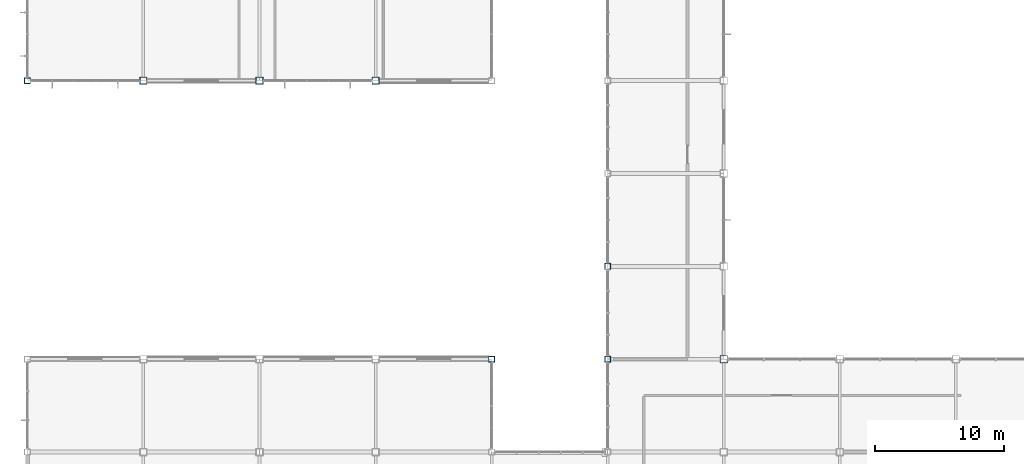
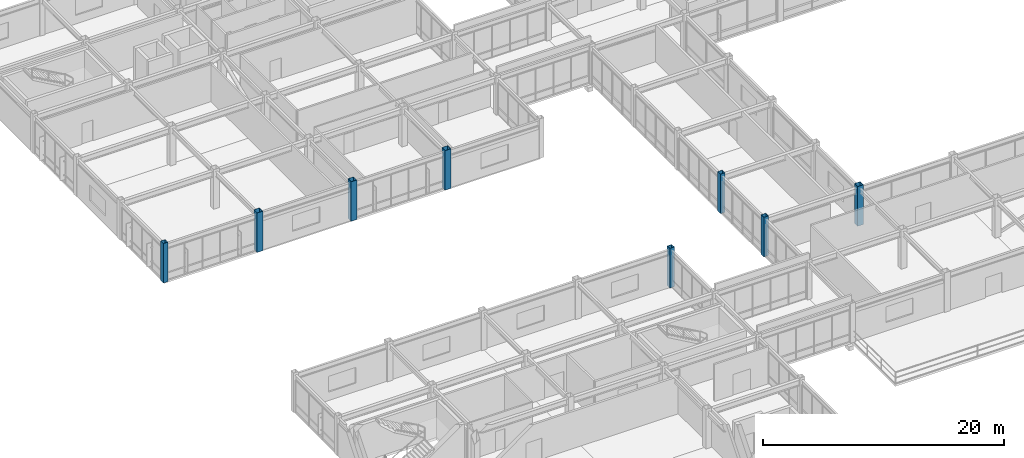
# One storey, part 3 of 122: 8 columns.
"""IFC4 building model written with IfcOpenShell, lengths in metres."""

import ifcopenshell
import ifcopenshell.guid

model = None  # the IFC model being written
_history = None  # IfcOwnerHistory: only IFC2X3 demands one
_inside = {}  # id of a spatial element -> (the spatial element, [elements in it])
_under = {}  # id of a project, library or spatial element -> (it, [spatial elements below it])
_declared = {}  # id of a project -> (the project, [libraries it declares])
_typed = {}  # id of a type object -> (the type object, [elements of that type])
_made_of = {}  # id of a material, layer set ... -> (it, [elements and type objects made of it])


def new_model(schema):
    """Start an empty IFC model of exactly this schema.

    Asked for "IFC4X3", IfcOpenShell would pick the latest addendum, in which some entities
    have other attributes; the version numbers below select the first issue.
    IFC2X3 requires an IfcOwnerHistory on every rooted entity: one is made here for all.
    """
    global model, _history
    if schema == "IFC4X3":
        model = ifcopenshell.file(schema_version=(4, 3, 0, 0))
    else:
        model = ifcopenshell.file(schema=schema)
    _inside.clear()
    _under.clear()
    _declared.clear()
    _typed.clear()
    _made_of.clear()
    _history = None
    if model.schema == "IFC2X3":
        org = make("IfcOrganization", Name="unknown")
        user = make(
            "IfcPersonAndOrganization",
            ThePerson=make("IfcPerson", FamilyName="unknown"),
            TheOrganization=org,
        )
        app = make(
            "IfcApplication",
            ApplicationDeveloper=org,
            Version="unknown",
            ApplicationFullName="unknown",
            ApplicationIdentifier="unknown",
        )
        _history = make(
            "IfcOwnerHistory",
            OwningUser=user,
            OwningApplication=app,
            ChangeAction="ADDED",
            CreationDate=0,
        )
    return model


def make(cls, **values):
    """One entity of the class cls with the attributes given. An attribute that is None is left unset."""
    return model.create_entity(
        cls, **{name: value for name, value in values.items() if value is not None}
    )


def rooted(cls, **values):
    """An entity with a GlobalId (a new one), such as an element, a storey or a relation."""
    return make(cls, GlobalId=ifcopenshell.guid.new(), OwnerHistory=_history, **values)


def si_unit(unit_type, name, prefix=None):
    """IfcSIUnit, for example si_unit("LENGTHUNIT", "METRE", prefix="MILLI")."""
    return make("IfcSIUnit", UnitType=unit_type, Prefix=prefix, Name=name)


def assignment(units):
    """IfcUnitAssignment: the units of a project."""
    return None if units is None else make("IfcUnitAssignment", Units=units)


def point(xyz):
    """IfcCartesianPoint."""
    return None if xyz is None else make("IfcCartesianPoint", Coordinates=xyz)


def direction(xyz):
    """IfcDirection."""
    return None if xyz is None else make("IfcDirection", DirectionRatios=xyz)


def frame(location, z_axis=None, x_axis=None):
    """IfcAxis2Placement3D, a coordinate frame: its origin and axes. An axis left out is left unset."""
    return make(
        "IfcAxis2Placement3D",
        Location=point(location),
        Axis=direction(z_axis),
        RefDirection=direction(x_axis),
    )


def frame_2d(location, x_axis=None):
    """IfcAxis2Placement2D, a coordinate frame in the plane: its origin and x axis."""
    return make(
        "IfcAxis2Placement2D", Location=point(location), RefDirection=direction(x_axis)
    )


def origin():
    """The frame at (0, 0, 0) with its axes left unset."""
    return frame((0.0, 0.0, 0.0))


def origin_2d():
    """The frame at (0, 0) in the plane with its x axis left unset."""
    return frame_2d((0.0, 0.0))


def place(relative_to, where):
    """IfcLocalPlacement: puts the frame where relative to a parent placement (None: the world)."""
    return make(
        "IfcLocalPlacement", PlacementRelTo=relative_to, RelativePlacement=where
    )


def context(
    kind, dimensions, precision=None, world=None, true_north=None, identifier=None
):
    """IfcGeometricRepresentationContext, for example the 3D "Model" context."""
    return make(
        "IfcGeometricRepresentationContext",
        ContextIdentifier=identifier,
        ContextType=kind,
        CoordinateSpaceDimension=dimensions,
        Precision=precision,
        WorldCoordinateSystem=world,
        TrueNorth=true_north,
    )


def subcontext(parent, identifier, kind, view, scale=None):
    """IfcGeometricRepresentationSubContext, for example "Body" below "Model"."""
    return make(
        "IfcGeometricRepresentationSubContext",
        ContextIdentifier=identifier,
        ContextType=kind,
        ParentContext=parent,
        TargetScale=scale,
        TargetView=view,
    )


def project(units=None, contexts=None):
    """IfcProject with its units and contexts."""
    return rooted(
        "IfcProject",
        Name="project",
        RepresentationContexts=contexts,
        UnitsInContext=assignment(units),
    )


def spatial(cls, under=None, at=None, **own):
    """A site, building, storey or space (cls), placed at a placement, below another one or the project."""
    s = rooted(cls, ObjectPlacement=at, **own)
    if under is not None:
        _under.setdefault(under.id(), (under, []))[1].append(s)
    return s


def profile(cls, at=None, kind="AREA", **sizes):
    """A parametric profile (cls). Its sizes go by their IFC names, for example OverallWidth=200.0."""
    return make(cls, ProfileType=kind, Position=at, **sizes)


def hollow_rectangle(**sizes):
    """IfcRectangleHollowProfileDef."""
    return profile("IfcRectangleHollowProfileDef", **sizes)


def extrude(swept, where, along, depth):
    """IfcExtrudedAreaSolid: the profile swept, set in the frame where, extruded along a direction by depth."""
    return make(
        "IfcExtrudedAreaSolid",
        SweptArea=swept,
        Position=where,
        ExtrudedDirection=direction(along),
        Depth=depth,
    )


def shape(context_of_items, identifier, shape_type, items):
    """IfcShapeRepresentation: the items that make up one representation, for example the "Body"."""
    return make(
        "IfcShapeRepresentation",
        ContextOfItems=context_of_items,
        RepresentationIdentifier=identifier,
        RepresentationType=shape_type,
        Items=items,
    )


def material(Name=None, Category=None):
    """IfcMaterial."""
    return make("IfcMaterial", Name=Name, Category=Category)


def material_profile(
    of_material, cross_section, Name=None, Category=None, Priority=None
):
    """IfcMaterialProfile: a cross section and its material."""
    return make(
        "IfcMaterialProfile",
        Name=Name,
        Material=of_material,
        Profile=cross_section,
        Priority=Priority,
        Category=Category,
    )


def profile_set(profiles, Name=None, composite=None):
    """IfcMaterialProfileSet."""
    return make(
        "IfcMaterialProfileSet",
        Name=Name,
        MaterialProfiles=profiles,
        CompositeProfile=composite,
    )


def made_of(thing, what):
    """Note that an element or type object is made of a material, layer set ...; save() writes the relation."""
    if what is not None:
        _made_of.setdefault(what.id(), (what, []))[1].append(thing)
    return thing


def type_object(cls, material=None, **own):
    """A type object (cls), such as IfcWallType, which elements share."""
    return made_of(rooted(cls, **own), material)


def element(
    cls,
    number,
    at=None,
    inside=None,
    cuts=None,
    type_object=None,
    material=None,
    context=None,
    identifier="Body",
    shape_type=None,
    held_by="IfcProductDefinitionShape",
    body=None,
    shapes=None,
    **own,
):
    """One element of the class cls, such as IfcWall. Its Tag is "e" and its number.

    at: its placement. inside: the storey or other place that contains it. cuts: it is an
    opening in that element (IfcRelVoidsElement). A single representation is given by context,
    identifier, shape_type and body (its items); several are given by shapes. held_by: the class
    of the entity that holds the representations. save() writes the other relations.
    """
    e = rooted(cls, Tag="e%d" % number, ObjectPlacement=at, **own)
    if body is not None:
        shapes = [shape(context, identifier, shape_type, body)]
    if shapes is not None:
        e.Representation = make(held_by, Representations=shapes)
    if inside is not None:
        _inside.setdefault(inside.id(), (inside, []))[1].append(e)
    if cuts is not None:
        rooted(
            "IfcRelVoidsElement", RelatingBuildingElement=cuts, RelatedOpeningElement=e
        )
    if type_object is not None:
        _typed.setdefault(type_object.id(), (type_object, []))[1].append(e)
    return made_of(e, material)


def aggregate(whole, parts):
    """IfcRelAggregates: a whole, such as a stair, and the parts it consists of."""
    return rooted("IfcRelAggregates", RelatingObject=whole, RelatedObjects=parts)


def save(model, path):
    """Write the relations noted so far, then the file.

    IfcRelAggregates (storeys below a building ...), IfcRelContainedInSpatialStructure (elements
    in a storey), IfcRelDefinesByType, IfcRelAssociatesMaterial and IfcRelDeclares: one each for
    every whole, place, type object, material and project.
    """
    for whole, parts in _under.values():
        aggregate(whole, parts)
    for where, things in _inside.values():
        rooted(
            "IfcRelContainedInSpatialStructure",
            RelatedElements=things,
            RelatingStructure=where,
        )
    for kind, things in _typed.values():
        rooted("IfcRelDefinesByType", RelatedObjects=things, RelatingType=kind)
    for what, things in _made_of.values():
        rooted("IfcRelAssociatesMaterial", RelatedObjects=things, RelatingMaterial=what)
    for by, libraries in _declared.values():
        rooted("IfcRelDeclares", RelatingContext=by, RelatedDefinitions=libraries)
    model.write(path)


model = new_model("IFC4")

# Units and contexts
model_context = context("Model", 3, precision=1e-05, world=origin(), true_north=direction((0.0, 1.0)))
body_context = subcontext(model_context, "Body", "Model", "MODEL_VIEW")
ifc_project = project(units=[si_unit("LENGTHUNIT", "METRE"), si_unit("AREAUNIT", "SQUARE_METRE"), si_unit("VOLUMEUNIT", "CUBIC_METRE"), si_unit("PLANEANGLEUNIT", "RADIAN"), si_unit("MASSUNIT", "GRAM", prefix="KILO")], contexts=[model_context])

# Site, building, storey
site_placement = place(None, origin())
site = spatial("IfcSite", under=ifc_project, at=site_placement, CompositionType="ELEMENT")
building_placement = place(site_placement, origin())
building = spatial("IfcBuilding", under=site, at=building_placement, Name="Kazanami Central Library", CompositionType="ELEMENT")
storey_placement = place(building_placement, frame((0.0, 0.0, 4.800048828125)))
storey = spatial("IfcBuildingStorey", under=building, at=storey_placement, Name="L02", CompositionType="ELEMENT", Elevation=4.800048828125)

# Columns
ifc_material = material(Name="Steel BCP325 (325 MPa)", Category="steel")
ifc_material_profile_1 = material_profile(ifc_material, hollow_rectangle(XDim=0.449951171875, YDim=0.449951171875, WallThickness=0.01904296875, at=origin_2d()), Name="BCP-450x450x19")
ifc_profile_set_1 = profile_set([ifc_material_profile_1], Name="Steel BCP325 (325 MPa)")
column_type_1 = type_object("IfcColumnType", Name="COL-C-P2E", PredefinedType="COLUMN", material=ifc_profile_set_1)
for number, where, z_axis, x_axis, name in (
    (1, (0.0, 57.60009765625, 0.0), (0.0, 0.0, 1.0), (1.0, 0.0, 0.0), "Column C-P2E L02 1/J"),
    (2, (36.0, 36.0, 0.0), (0.0, 0.0, 1.0), (1.0, 0.0, 0.0), "Column C-P2E L02 5/F"),
    (3, (45.0, 36.0, 0.0), (0.0, 0.0, 1.0), (1.0, 0.0, 0.0), "Column C-P2E L02 6/F"),
    (4, (45.0, 43.199951171875, 0.0), (0.0, 0.0, 1.0), (1.0, 0.0, 0.0), "Column C-P2E L02 6/G"),
):
    element("IfcColumn", number, at=place(storey_placement, frame(where, z_axis=z_axis, x_axis=x_axis)), inside=storey, type_object=column_type_1, Name=name, PredefinedType="COLUMN", context=body_context, shape_type="SweptSolid", body=[
        extrude(hollow_rectangle(XDim=0.449951171875, YDim=0.449951171875, WallThickness=0.01904296875, at=origin_2d()), origin(), (0.0, 0.0, 1.0), 4.0),
    ])
ifc_material_profile_2 = material_profile(ifc_material, hollow_rectangle(XDim=0.550048828125, YDim=0.550048828125, WallThickness=0.02197265625, at=origin_2d()), Name="BCP-550x550x22")
ifc_profile_set_2 = profile_set([ifc_material_profile_2], Name="Steel BCP325 (325 MPa)")
column_type_2 = type_object("IfcColumnType", Name="COL-C-P2I", PredefinedType="COLUMN", material=ifc_profile_set_2)
for number, where, z_axis, x_axis, name in (
    (5, (9.0, 57.60009765625, 0.0), (0.0, 0.0, 1.0), (1.0, 0.0, 0.0), "Column C-P2I L02 2/J"),
    (6, (18.0, 57.60009765625, 0.0), (0.0, 0.0, 1.0), (1.0, 0.0, 0.0), "Column C-P2I L02 3/J"),
    (7, (27.0, 57.60009765625, 0.0), (0.0, 0.0, 1.0), (1.0, 0.0, 0.0), "Column C-P2I L02 4/J"),
    (8, (54.0, 36.0, 0.0), (0.0, 0.0, 1.0), (1.0, 0.0, 0.0), "Column C-P2I L02 7/F"),
):
    element("IfcColumn", number, at=place(storey_placement, frame(where, z_axis=z_axis, x_axis=x_axis)), inside=storey, type_object=column_type_2, Name=name, PredefinedType="COLUMN", context=body_context, shape_type="SweptSolid", body=[
        extrude(hollow_rectangle(XDim=0.550048828125, YDim=0.550048828125, WallThickness=0.02197265625, at=origin_2d()), origin(), (0.0, 0.0, 1.0), 4.0),
    ])

save(model, "model.ifc")
